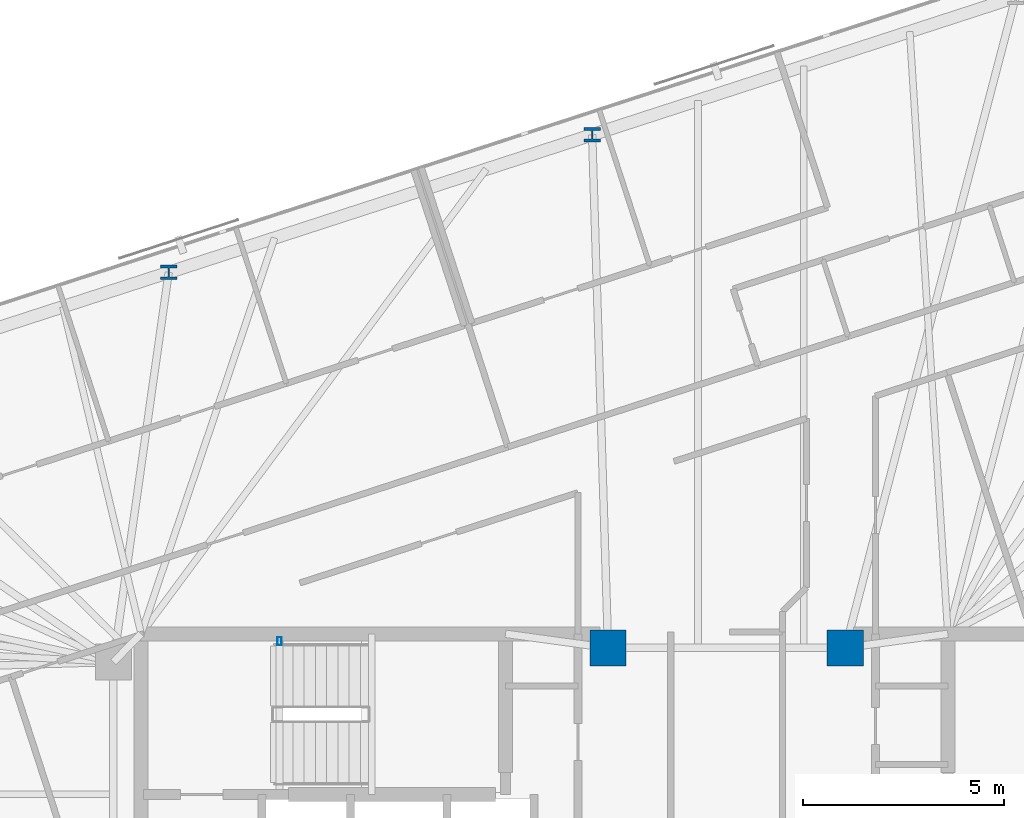
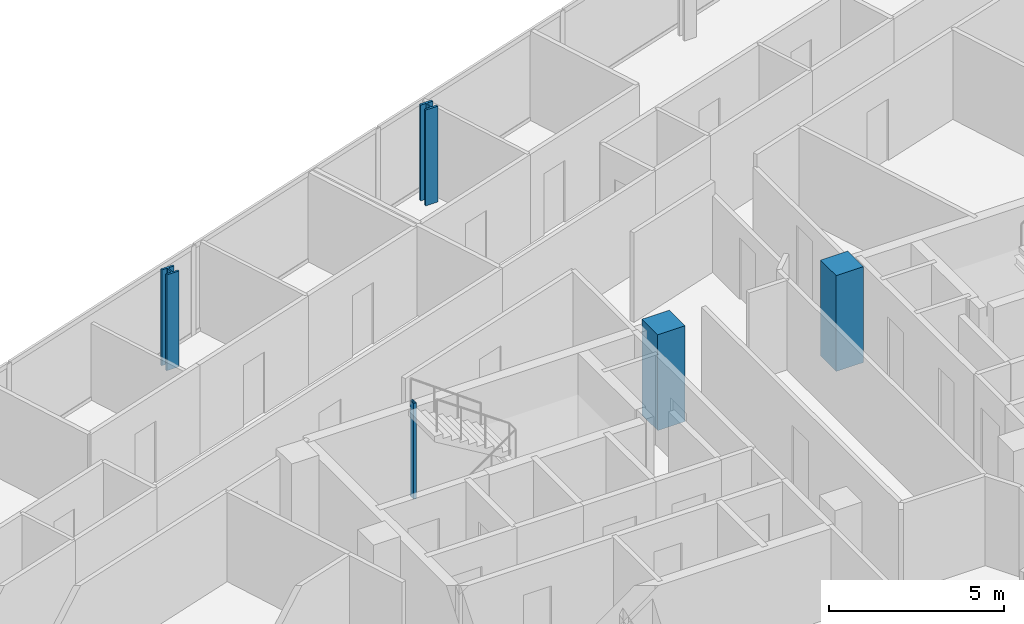
# One storey, part 2 of 20: 5 columns.
"""IFC4 building model written with IfcOpenShell, lengths in metres."""

from ifc_helpers import new_model, si_unit, direction, frame, origin, origin_2d, place, context, subcontext, project, spatial, rectangle, hollow_rectangle, i_section, extrude, material, material_profile, profile_set, type_object, element, save


model = new_model("IFC4")

# Units and contexts
model_context = context("Model", 3, precision=1e-05, world=origin(), true_north=direction((0.0, 1.0)))
body_context = subcontext(model_context, "Body", "Model", "MODEL_VIEW")
ifc_project = project(units=[si_unit("LENGTHUNIT", "METRE"), si_unit("AREAUNIT", "SQUARE_METRE"), si_unit("VOLUMEUNIT", "CUBIC_METRE"), si_unit("PLANEANGLEUNIT", "RADIAN"), si_unit("MASSUNIT", "GRAM", prefix="KILO")], contexts=[model_context])

# Site, building, storey
site_placement = place(None, origin())
site = spatial("IfcSite", under=ifc_project, at=site_placement, CompositionType="ELEMENT")
building_placement = place(site_placement, origin())
building = spatial("IfcBuilding", under=site, at=building_placement, Name="Menara Jurai Vektor", CompositionType="ELEMENT")
storey_placement = place(building_placement, frame((0.0, 0.0, 227.64990234375)))
storey = spatial("IfcBuildingStorey", under=building, at=storey_placement, Name="L60", CompositionType="ELEMENT", Elevation=227.64990234375)

# Columns
ifc_material_1 = material(Name="Concrete C50/60", Category="concrete")
ifc_material_profile_1 = material_profile(ifc_material_1, rectangle(XDim=0.89990234375, YDim=0.89990234375, at=origin_2d()), Name="RC 900x900")
ifc_profile_set_1 = profile_set([ifc_material_profile_1], Name="Concrete C50/60")
column_type_1 = type_object("IfcColumnType", Name="STR-COL-RC900", PredefinedType="COLUMN", material=ifc_profile_set_1)
for number, where, z_axis, x_axis, name in (
    (1, (-2.949951171875, 5.25, 0.0), (0.0, 0.0, 1.0), (1.0, 0.0, 0.0), "Core Spine Column CW-NE L60"),
    (2, (2.949951171875, 5.25, 0.0), (0.0, 0.0, 1.0), (1.0, 0.0, 0.0), "Core Spine Column CE-NW L60"),
):
    element("IfcColumn", number, at=place(storey_placement, frame(where, z_axis=z_axis, x_axis=x_axis)), inside=storey, type_object=column_type_1, Name=name, PredefinedType="COLUMN", context=body_context, shape_type="SweptSolid", body=[
        extrude(rectangle(XDim=0.89990234375, YDim=0.89990234375, at=origin_2d()), origin(), (0.0, 0.0, 1.0), 3.35009765625),
    ])
ifc_material_2 = material(Name="Steel S355", Category="steel")
ifc_material_profile_2 = material_profile(ifc_material_2, hollow_rectangle(XDim=0.10009765625, YDim=0.199951171875, WallThickness=0.008056640625, at=origin_2d()), Name="RHS 200x100x8")
ifc_profile_set_2 = profile_set([ifc_material_profile_2], Name="Steel S355")
column_type_2 = type_object("IfcColumnType", Name="STR-COL-STAIR", PredefinedType="COLUMN", material=ifc_profile_set_2)
column_placement = place(storey_placement, frame((-11.1201171875, 5.419921875, 0.0), z_axis=(0.0, 0.0, 1.0), x_axis=(1.0, 0.0, 0.0)))
element("IfcColumn", 3, at=column_placement, inside=storey, type_object=column_type_2, Name="Stair Well Header Column ST1-P2 L60", PredefinedType="COLUMN", context=body_context, shape_type="SweptSolid", body=[
    extrude(hollow_rectangle(XDim=0.10009765625, YDim=0.199951171875, WallThickness=0.008056640625, at=origin_2d()), origin(), (0.0, 0.0, 1.0), 3.35009765625),
])
ifc_material_3 = material(Name="Steel S460", Category="steel")
ifc_material_profile_3 = material_profile(ifc_material_3, i_section(OverallWidth=0.405029296875, OverallDepth=0.35498046875, WebThickness=0.0419921875, FlangeThickness=0.068115234375, FilletRadius=0.014892578125, at=origin_2d()), Name="HD 400x551")
ifc_profile_set_3 = profile_set([ifc_material_profile_3], Name="Steel S460")
column_type_3 = type_object("IfcColumnType", Name="STR-EXO-BLK4", PredefinedType="COLUMN", material=ifc_profile_set_3)
for number, where, z_axis, x_axis, name in (
    (4, (-3.345703125, 18.008544921875, 0.0), (0.0, 0.0, 1.0), (1.0, 0.0, 0.0), "Exoskeleton Column BLK4-N3 L60"),
    (5, (-13.875, 14.58740234375, 0.0), (0.0, 0.0, 1.0), (1.0, 0.0, 0.0), "Exoskeleton Column BLK4-N4 L60"),
):
    element("IfcColumn", number, at=place(storey_placement, frame(where, z_axis=z_axis, x_axis=x_axis)), inside=storey, type_object=column_type_3, Name=name, PredefinedType="COLUMN", context=body_context, shape_type="SweptSolid", body=[
        extrude(i_section(OverallWidth=0.405029296875, OverallDepth=0.35498046875, WebThickness=0.0419921875, FlangeThickness=0.068115234375, FilletRadius=0.014892578125, at=origin_2d()), origin(), (0.0, 0.0, 1.0), 3.35009765625),
    ])

save(model, "model.ifc")
